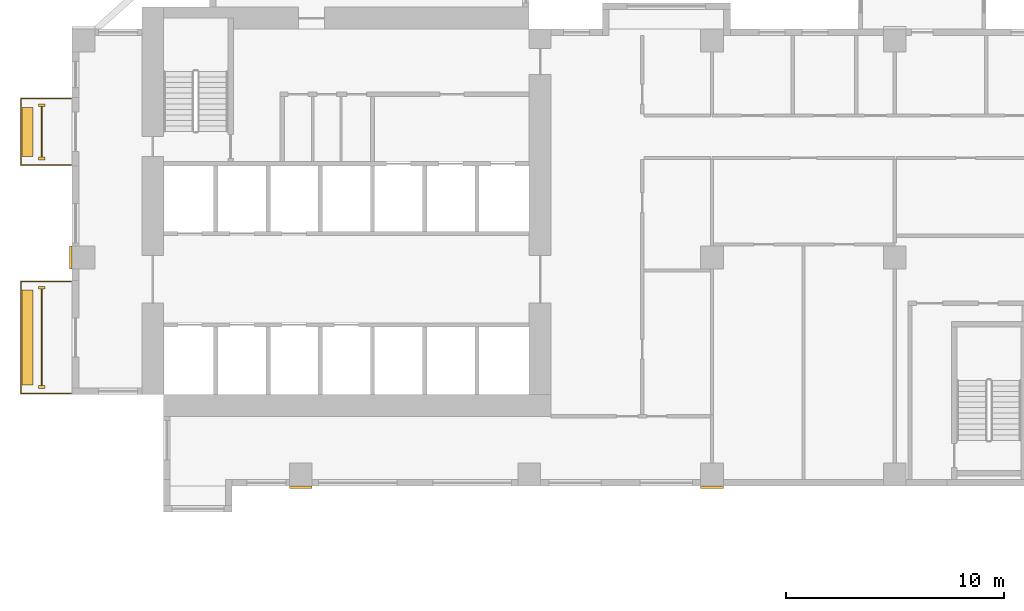
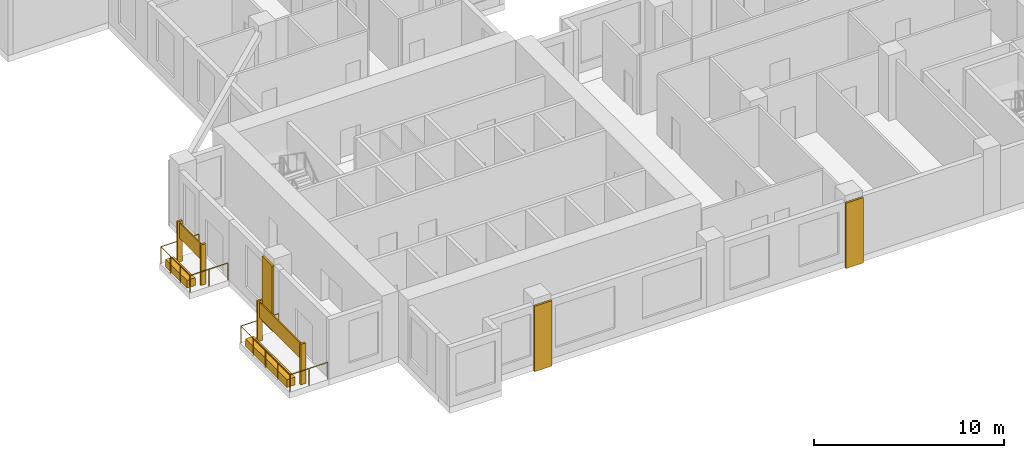
# One storey, part 11 of 15: 11 coverings, 2 railings.
"""IFC4 building model written with IfcOpenShell, lengths in metres."""

from ifc_helpers import new_model, si_unit, direction, frame, origin, origin_2d, place, context, subcontext, project, spatial, rectangle, circle, extrude, source, transform, mapped, material, type_object, element, save


model = new_model("IFC4")

# Units and contexts
model_context = context("Model", 3, precision=1e-05, world=origin(), true_north=direction((0.0, 1.0)))
body_context = subcontext(model_context, "Body", "Model", "MODEL_VIEW")
ifc_project = project(units=[si_unit("LENGTHUNIT", "METRE"), si_unit("AREAUNIT", "SQUARE_METRE"), si_unit("VOLUMEUNIT", "CUBIC_METRE"), si_unit("PLANEANGLEUNIT", "RADIAN"), si_unit("MASSUNIT", "GRAM", prefix="KILO")], contexts=[model_context])

# Site, building, storey
site_placement = place(None, origin())
site = spatial("IfcSite", under=ifc_project, at=site_placement, CompositionType="ELEMENT")
building_placement = place(site_placement, origin())
building = spatial("IfcBuilding", under=site, at=building_placement, Name="Aurelian Terraces", CompositionType="ELEMENT")
storey_placement = place(building_placement, frame((0.0, 0.0, 120.3)))
storey = spatial("IfcBuildingStorey", under=building, at=storey_placement, Name="L26", CompositionType="ELEMENT", Elevation=120.3)

# Coverings
ifc_material_1 = material(Name="Terracotta rainscreen cladding relief", Category="masonry")
covering_type_1 = type_object("IfcCoveringType", Name="FIN-TC", PredefinedType="CLADDING", material=ifc_material_1)
shared_shape_1 = source(origin(), body_context, "Body", "SweptSolid", [
    extrude(rectangle(XDim=0.3, YDim=0.12, at=origin_2d()), origin(), (0.0, 0.0, 1.0), 2.6),
])
for number, where, z_axis, x_axis, name in (
    (1, (-1.4, 17.5, 0.0), (0.0, 0.0, 1.0), (1.0, 0.0, 0.0), "FIN L26 L26-F20-40.1"),
    (2, (-1.4, 15.05, 0.0), (0.0, 0.0, 1.0), (1.0, 0.0, 0.0), "FIN L26 L26-F20-40.2"),
    (3, (-1.4, 9.1, 0.0), (0.0, 0.0, 1.0), (1.0, 0.0, 0.0), "FIN L26 L26-F20-42.1"),
    (4, (-1.4, 4.55, 0.0), (0.0, 0.0, 1.0), (1.0, 0.0, 0.0), "FIN L26 L26-F20-42.2"),
):
    element("IfcCovering", number, at=place(storey_placement, frame(where, z_axis=z_axis, x_axis=x_axis)), inside=storey, type_object=covering_type_1, Name=name, PredefinedType="CLADDING", context=body_context, shape_type="MappedRepresentation", body=[
        mapped(shared_shape_1, transform((0.0, 0.0, 0.0), scale=1.0)),
    ])
ifc_material_2 = material(Name="Terracotta planter with planting soil", Category="masonry")
covering_type_2 = type_object("IfcCoveringType", Name="PLANTER-TROUGH", PredefinedType="USERDEFINED", material=ifc_material_2)
shared_shape_2 = source(origin(), body_context, "Body", "SweptSolid", [
    extrude(rectangle(XDim=0.5, YDim=2.25, at=origin_2d()), origin(), (0.0, 0.0, 1.0), 0.5),
])
covering_1_placement = place(storey_placement, frame((-2.05, 16.275, 0.0), z_axis=(0.0, 0.0, 1.0), x_axis=(1.0, 0.0, 0.0)))
element("IfcCovering", 5, at=covering_1_placement, inside=storey, type_object=covering_type_2, Name="PLANTER L26 L26-F20-40", ObjectType="PLANTER", PredefinedType="USERDEFINED", context=body_context, shape_type="MappedRepresentation", body=[
    mapped(shared_shape_2, transform((0.0, 0.0, 0.0), scale=1.0)),
])
ifc_material_3 = material(Name="Terracotta rainscreen cladding", Category="masonry")
covering_type_3 = type_object("IfcCoveringType", Name="SCREEN-TC", PredefinedType="CLADDING", material=ifc_material_3)
shared_shape_3 = source(origin(), body_context, "Body", "SweptSolid", [
    extrude(rectangle(XDim=0.06, YDim=2.33, at=origin_2d()), origin(), (0.0, 0.0, 1.0), 1.0),
])
covering_2_placement = place(storey_placement, frame((-1.4, 16.275, 1.5), z_axis=(0.0, 0.0, 1.0), x_axis=(1.0, 0.0, 0.0)))
element("IfcCovering", 6, at=covering_2_placement, inside=storey, type_object=covering_type_3, Name="SCREEN L26 L26-F20-40", PredefinedType="CLADDING", context=body_context, shape_type="MappedRepresentation", body=[
    mapped(shared_shape_3, transform((0.0, 0.0, 0.0), scale=1.0)),
])

# Railing
ifc_material_4 = material(Name="Anodised aluminium", Category="aluminium")
railing_type = type_object("IfcRailingType", Name="GUARD-1100", PredefinedType="GUARDRAIL", material=ifc_material_4)
shared_shape_4 = source(origin(), body_context, "Body", "SweptSolid", [
    extrude(circle(Radius=0.024, at=origin_2d()), frame((0.0, 0.0, 1.076), z_axis=(-1.0, 0.0, 0.0), x_axis=(0.0, -1.0, 0.0)), (0.0, 0.0, 1.0), 2.3),
    extrude(circle(Radius=0.024, at=origin_2d()), frame((-2.3, 0.0, 1.076), z_axis=(0.0, -1.0, 0.0), x_axis=(1.0, 0.0, 0.0)), (0.0, 0.0, 1.0), 3.05),
    extrude(circle(Radius=0.024, at=origin_2d()), frame((-2.3, -3.05, 1.076), z_axis=(1.0, 0.0, 0.0), x_axis=(0.0, 1.0, 0.0)), (0.0, 0.0, 1.0), 2.3),
    extrude(circle(Radius=0.021, at=origin_2d()), origin(), (0.0, 0.0, 1.0), 1.052),
    extrude(circle(Radius=0.021, at=origin_2d()), frame((-1.15, 0.0, 0.0)), (0.0, 0.0, 1.0), 1.052),
    extrude(circle(Radius=0.021, at=origin_2d()), frame((-2.3, 0.0, 0.0)), (0.0, 0.0, 1.0), 1.052),
    extrude(circle(Radius=0.021, at=origin_2d()), frame((-2.3, -1.0167, 0.0)), (0.0, 0.0, 1.0), 1.052),
    extrude(circle(Radius=0.021, at=origin_2d()), frame((-2.3, -2.0333, 0.0)), (0.0, 0.0, 1.0), 1.052),
    extrude(circle(Radius=0.021, at=origin_2d()), frame((-2.3, -3.05, 0.0)), (0.0, 0.0, 1.0), 1.052),
    extrude(circle(Radius=0.021, at=origin_2d()), frame((-1.15, -3.05, 0.0)), (0.0, 0.0, 1.0), 1.052),
    extrude(circle(Radius=0.021, at=origin_2d()), frame((0.0, -3.05, 0.0)), (0.0, 0.0, 1.0), 1.052),
])
railing_1_placement = place(storey_placement, frame((-0.05, 17.8, 0.0)))
element("IfcRailing", 7, at=railing_1_placement, inside=storey, type_object=railing_type, Name="Balcony guard L26 F20.40", PredefinedType="GUARDRAIL", context=body_context, shape_type="MappedRepresentation", body=[
    mapped(shared_shape_4, transform((0.0, 0.0, 0.0), scale=1.0)),
])

# Coverings
covering_type_4 = type_object("IfcCoveringType", Name="BAGUETTE-TC", PredefinedType="CLADDING", material=ifc_material_1)
shared_shape_5 = source(origin(), body_context, "Body", "SweptSolid", [
    extrude(rectangle(XDim=1.05, YDim=0.12, at=origin_2d()), origin(), (0.0, 0.0, 1.0), 4.2),
])
for number, where, z_axis, x_axis, name in (
    (8, (10.5, -0.06, -0.4), (0.0, 0.0, 1.0), (1.0, 0.0, 0.0), "BAGUETTE pier L26 1"),
    (9, (29.4, -0.06, -0.4), (0.0, 0.0, 1.0), (1.0, 0.0, 0.0), "BAGUETTE pier L26 2"),
):
    element("IfcCovering", number, at=place(storey_placement, frame(where, z_axis=z_axis, x_axis=x_axis)), inside=storey, type_object=covering_type_4, Name=name, PredefinedType="CLADDING", context=body_context, shape_type="MappedRepresentation", body=[
        mapped(shared_shape_5, transform((0.0, 0.0, 0.0), scale=1.0)),
    ])
shared_shape_6 = source(origin(), body_context, "Body", "SweptSolid", [
    extrude(rectangle(XDim=0.12, YDim=1.05, at=origin_2d()), origin(), (0.0, 0.0, 1.0), 4.2),
])
covering_3_placement = place(storey_placement, frame((-0.06, 10.5, -0.4), z_axis=(0.0, 0.0, 1.0), x_axis=(1.0, 0.0, 0.0)))
element("IfcCovering", 10, at=covering_3_placement, inside=storey, type_object=covering_type_4, Name="BAGUETTE pier L26 5", PredefinedType="CLADDING", context=body_context, shape_type="MappedRepresentation", body=[
    mapped(shared_shape_6, transform((0.0, 0.0, 0.0), scale=1.0)),
])

# Railing
shared_shape_7 = source(origin(), body_context, "Body", "SweptSolid", [
    extrude(circle(Radius=0.024, at=origin_2d()), frame((0.0, 0.0, 1.076), z_axis=(-1.0, 0.0, 0.0), x_axis=(0.0, -1.0, 0.0)), (0.0, 0.0, 1.0), 2.3),
    extrude(circle(Radius=0.024, at=origin_2d()), frame((-2.3, 0.0, 1.076), z_axis=(0.0, -1.0, 0.0), x_axis=(1.0, 0.0, 0.0)), (0.0, 0.0, 1.0), 5.15),
    extrude(circle(Radius=0.024, at=origin_2d()), frame((-2.3, -5.15, 1.076), z_axis=(1.0, 0.0, 0.0), x_axis=(0.0, 1.0, 0.0)), (0.0, 0.0, 1.0), 2.3),
    extrude(circle(Radius=0.021, at=origin_2d()), origin(), (0.0, 0.0, 1.0), 1.052),
    extrude(circle(Radius=0.021, at=origin_2d()), frame((-1.15, 0.0, 0.0)), (0.0, 0.0, 1.0), 1.052),
    extrude(circle(Radius=0.021, at=origin_2d()), frame((-2.3, 0.0, 0.0)), (0.0, 0.0, 1.0), 1.052),
    extrude(circle(Radius=0.021, at=origin_2d()), frame((-2.3, -1.2875, 0.0)), (0.0, 0.0, 1.0), 1.052),
    extrude(circle(Radius=0.021, at=origin_2d()), frame((-2.3, -2.575, 0.0)), (0.0, 0.0, 1.0), 1.052),
    extrude(circle(Radius=0.021, at=origin_2d()), frame((-2.3, -3.8625, 0.0)), (0.0, 0.0, 1.0), 1.052),
    extrude(circle(Radius=0.021, at=origin_2d()), frame((-2.3, -5.15, 0.0)), (0.0, 0.0, 1.0), 1.052),
    extrude(circle(Radius=0.021, at=origin_2d()), frame((-1.15, -5.15, 0.0)), (0.0, 0.0, 1.0), 1.052),
    extrude(circle(Radius=0.021, at=origin_2d()), frame((0.0, -5.15, 0.0)), (0.0, 0.0, 1.0), 1.052),
])
railing_2_placement = place(storey_placement, frame((-0.05, 9.4, 0.0)))
element("IfcRailing", 11, at=railing_2_placement, inside=storey, type_object=railing_type, Name="Balcony guard L26 F20.42", PredefinedType="GUARDRAIL", context=body_context, shape_type="MappedRepresentation", body=[
    mapped(shared_shape_7, transform((0.0, 0.0, 0.0), scale=1.0)),
])

# Coverings
shared_shape_8 = source(origin(), body_context, "Body", "SweptSolid", [
    extrude(rectangle(XDim=0.5, YDim=4.35, at=origin_2d()), origin(), (0.0, 0.0, 1.0), 0.5),
])
covering_4_placement = place(storey_placement, frame((-2.05, 6.825, 0.0), z_axis=(0.0, 0.0, 1.0), x_axis=(1.0, 0.0, 0.0)))
element("IfcCovering", 12, at=covering_4_placement, inside=storey, type_object=covering_type_2, Name="PLANTER L26 L26-F20-42", ObjectType="PLANTER", PredefinedType="USERDEFINED", context=body_context, shape_type="MappedRepresentation", body=[
    mapped(shared_shape_8, transform((0.0, 0.0, 0.0), scale=1.0)),
])
shared_shape_9 = source(origin(), body_context, "Body", "SweptSolid", [
    extrude(rectangle(XDim=0.06, YDim=4.43, at=origin_2d()), origin(), (0.0, 0.0, 1.0), 1.0),
])
covering_5_placement = place(storey_placement, frame((-1.4, 6.825, 1.5), z_axis=(0.0, 0.0, 1.0), x_axis=(1.0, 0.0, 0.0)))
element("IfcCovering", 13, at=covering_5_placement, inside=storey, type_object=covering_type_3, Name="SCREEN L26 L26-F20-42", PredefinedType="CLADDING", context=body_context, shape_type="MappedRepresentation", body=[
    mapped(shared_shape_9, transform((0.0, 0.0, 0.0), scale=1.0)),
])

save(model, "model.ifc")
